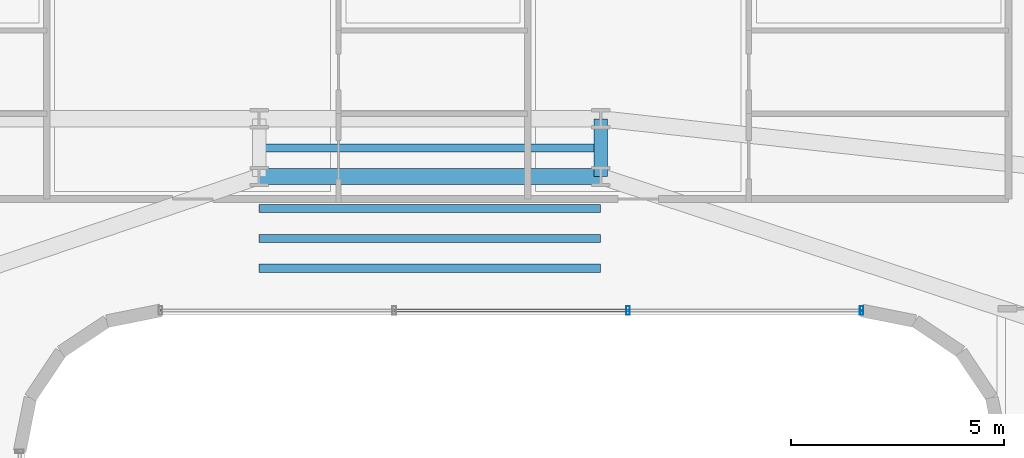
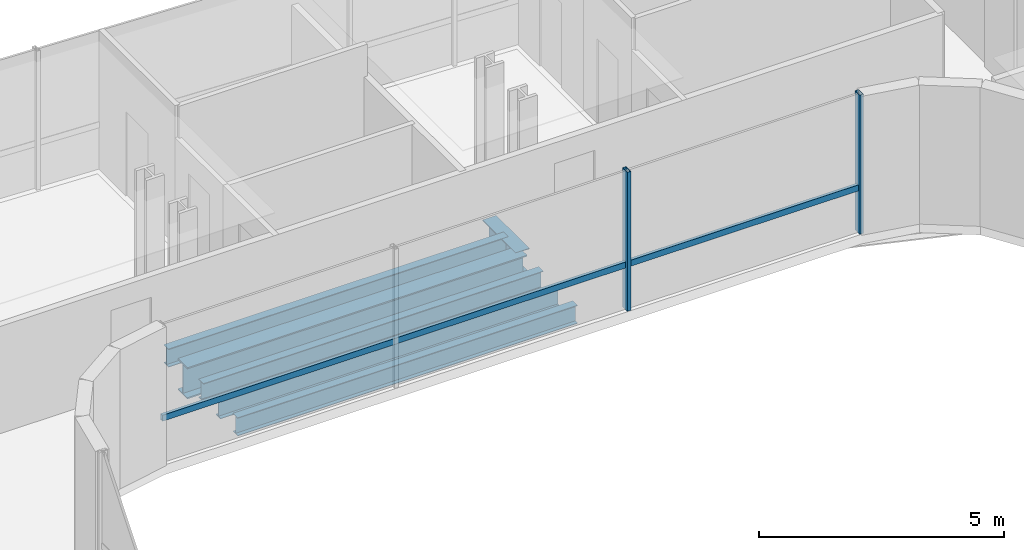
# One storey, part 16 of 38: 6 beams, 3 members, 1 element without a shape of its own.
"""IFC4 building model written with IfcOpenShell, lengths in metres."""

from ifc_helpers import new_model, si_unit, direction, frame, origin, origin_2d, place, context, subcontext, project, spatial, hollow_rectangle, i_section, extrude, source, transform, mapped, material, material_profile, profile_set, type_object, element, aggregate, save


model = new_model("IFC4")

# Units and contexts
model_context = context("Model", 3, precision=1e-05, world=origin(), true_north=direction((0.0, 1.0)))
body_context = subcontext(model_context, "Body", "Model", "MODEL_VIEW")
ifc_project = project(units=[si_unit("LENGTHUNIT", "METRE"), si_unit("AREAUNIT", "SQUARE_METRE"), si_unit("VOLUMEUNIT", "CUBIC_METRE"), si_unit("PLANEANGLEUNIT", "RADIAN"), si_unit("MASSUNIT", "GRAM", prefix="KILO")], contexts=[model_context])

# Site, building, storey
site_placement = place(None, origin())
site = spatial("IfcSite", under=ifc_project, at=site_placement, CompositionType="ELEMENT")
building_placement = place(site_placement, origin())
building = spatial("IfcBuilding", under=site, at=building_placement, Name="Valdorenza Pilgrim Sanctuary Tower", CompositionType="ELEMENT")
storey_placement = place(building_placement, frame((0.0, 0.0, 131.60009765625)))
storey = spatial("IfcBuildingStorey", under=building, at=storey_placement, Name="L33", CompositionType="ELEMENT", Elevation=131.60009765625)

# Beams
ifc_material_1 = material(Name="Steel ASTM A992 Grade 50", Category="steel")
ifc_material_profile_1 = material_profile(ifc_material_1, i_section(OverallWidth=0.323974609375, OverallDepth=0.611083984375, WebThickness=0.0126953125, FlangeThickness=0.01904296875, at=origin_2d()), Name="W24X104")
ifc_profile_set_1 = profile_set([ifc_material_profile_1], Name="Steel ASTM A992 Grade 50")
beam_type_1 = type_object("IfcBeamType", Name="STR-BM-GRD-W24B", PredefinedType="BEAM", material=ifc_profile_set_1)
shared_shape_1 = source(origin(), body_context, "Body", "SweptSolid", [
    extrude(i_section(OverallWidth=0.323974609375, OverallDepth=0.611083984375, WebThickness=0.0126953125, FlangeThickness=0.01904296875, at=origin_2d()), origin(), (0.0, 0.0, 1.0), 1.35009765625),
])
beam_1_placement = place(storey_placement, frame((4.0, 13.449951171875, -0.545654296875), z_axis=(0.0, 1.0, 0.0), x_axis=(-1.0, 0.0, 0.0)))
element("IfcBeam", 1, at=beam_1_placement, inside=storey, type_object=beam_type_1, Name="L33 Floor Girder KNK-TIE-E", PredefinedType="BEAM", context=body_context, shape_type="MappedRepresentation", body=[
    mapped(shared_shape_1, transform((0.0, 0.0, 0.0), x_axis=(1.0, 0.0, 0.0), y_axis=(0.0, 1.0, 0.0), z_axis=(0.0, 0.0, 1.0), scale=1.0)),
])
ifc_material_profile_2 = material_profile(ifc_material_1, i_section(OverallWidth=0.382080078125, OverallDepth=0.779052734375, WebThickness=0.01806640625, FlangeThickness=0.030029296875, at=origin_2d()), Name="W30X191")
ifc_profile_set_2 = profile_set([ifc_material_profile_2], Name="Steel ASTM A992 Grade 50")
beam_type_2 = type_object("IfcBeamType", Name="STR-BM-GRD-W30", PredefinedType="BEAM", material=ifc_profile_set_2)
shared_shape_2 = source(origin(), body_context, "Body", "SweptSolid", [
    extrude(i_section(OverallWidth=0.382080078125, OverallDepth=0.779052734375, WebThickness=0.01806640625, FlangeThickness=0.030029296875, at=origin_2d()), origin(), (0.0, 0.0, 1.0), 8.0),
])
beam_2_placement = place(storey_placement, frame((-4.0, 13.449951171875, -0.629638671875), z_axis=(1.0, 0.0, 0.0), x_axis=(0.0, 1.0, 0.0)))
element("IfcBeam", 2, at=beam_2_placement, inside=storey, type_object=beam_type_2, Name="L33 Floor Girder KNK-G2", PredefinedType="BEAM", context=body_context, shape_type="MappedRepresentation", body=[
    mapped(shared_shape_2, transform((0.0, 0.0, 0.0), x_axis=(1.0, 0.0, 0.0), y_axis=(0.0, 1.0, 0.0), z_axis=(0.0, 0.0, 1.0), scale=1.0)),
])
ifc_material_profile_3 = material_profile(ifc_material_1, i_section(OverallWidth=0.19091796875, OverallDepth=0.45703125, WebThickness=0.009033203125, FlangeThickness=0.014404296875, at=origin_2d()), Name="W18X50")
ifc_profile_set_3 = profile_set([ifc_material_profile_3], Name="Steel ASTM A992 Grade 50")
beam_type_3 = type_object("IfcBeamType", Name="STR-BM-JST-W18B", PredefinedType="JOIST", material=ifc_profile_set_3)
shared_shape_3 = source(origin(), body_context, "Body", "SweptSolid", [
    extrude(i_section(OverallWidth=0.19091796875, OverallDepth=0.45703125, WebThickness=0.009033203125, FlangeThickness=0.014404296875, at=origin_2d()), origin(), (0.0, 0.0, 1.0), 8.0),
])
for number, where, z_axis, x_axis, name in (
    (3, (-4.0, 11.300048828125, -0.468505859375), (1.0, 0.0, 0.0), (0.0, 1.0, 0.0), "L33 Knuckle Composite Joist JST-KNK-1"),
    (4, (-4.0, 12.0, -0.468505859375), (1.0, 0.0, 0.0), (0.0, 1.0, 0.0), "L33 Knuckle Composite Joist JST-KNK-2"),
    (5, (-4.0, 12.699951171875, -0.468505859375), (1.0, 0.0, 0.0), (0.0, 1.0, 0.0), "L33 Knuckle Composite Joist JST-KNK-3"),
    (6, (-4.0, 14.1201171875, -0.468505859375), (1.0, 0.0, 0.0), (0.0, 1.0, 0.0), "L33 Knuckle Composite Joist JST-KNK-4"),
):
    element("IfcBeam", number, at=place(storey_placement, frame(where, z_axis=z_axis, x_axis=x_axis)), inside=storey, type_object=beam_type_3, Name=name, PredefinedType="JOIST", context=body_context, shape_type="MappedRepresentation", body=[
        mapped(shared_shape_3, transform((0.0, 0.0, 0.0), x_axis=(1.0, 0.0, 0.0), y_axis=(0.0, 1.0, 0.0), z_axis=(0.0, 0.0, 1.0), scale=1.0)),
    ])

# Curtain wall, members
ifc_material_2 = material(Name="Curtain-wall IGU glazing", Category="glass")
curtain_wall_type = type_object("IfcCurtainWallType", Name="CW-SYS-02", PredefinedType="NOTDEFINED", material=ifc_material_2)
curtain_wall_placement = place(storey_placement, origin())
curtain_wall = element("IfcCurtainWall", 7, at=curtain_wall_placement, inside=storey, type_object=curtain_wall_type, Name="L33 Curtain Wall CW-L33-1-36", PredefinedType="NOTDEFINED")
ifc_material_3 = material(Name="Anodised aluminium AW-6060", Category="aluminium")
ifc_material_profile_4 = material_profile(ifc_material_3, hollow_rectangle(XDim=0.0849609375, YDim=0.199951171875, WallThickness=0.0048828125, at=origin_2d()), Name="ALU-M 200x85x5")
ifc_profile_set_4 = profile_set([ifc_material_profile_4], Name="Anodised aluminium AW-6060")
member_type_1 = type_object("IfcMemberType", Name="CW-MUL-02", PredefinedType="MULLION", material=ifc_profile_set_4)
shared_shape_4 = source(origin(), body_context, "Body", "SweptSolid", [
    extrude(hollow_rectangle(XDim=0.0849609375, YDim=0.199951171875, WallThickness=0.0048828125, at=origin_2d()), origin(), (0.0, 0.0, 1.0), 3.4599609375),
])
member_1_placement = place(storey_placement, frame((10.11083984375, 10.31005859375, 0.0), z_axis=(0.0, 0.0, 1.0), x_axis=(-1.0, 0.0, 0.0)))
member_1 = element("IfcMember", 8, at=member_1_placement, type_object=member_type_1, Name="CW-L33-1-36 Mullion 1", PredefinedType="MULLION", context=body_context, shape_type="MappedRepresentation", body=[
    mapped(shared_shape_4, transform((0.0, 0.0, 0.0), x_axis=(1.0, 0.0, 0.0), y_axis=(0.0, 1.0, 0.0), z_axis=(0.0, 0.0, 1.0), scale=1.0)),
])
member_2_placement = place(storey_placement, frame((4.636962890625, 10.31005859375, 0.0), z_axis=(0.0, 0.0, 1.0), x_axis=(-1.0, 0.0, 0.0)))
member_2 = element("IfcMember", 9, at=member_2_placement, type_object=member_type_1, Name="CW-L33-1-36 Mullion 2", PredefinedType="MULLION", context=body_context, shape_type="MappedRepresentation", body=[
    mapped(shared_shape_4, transform((0.0, 0.0, 0.0), x_axis=(1.0, 0.0, 0.0), y_axis=(0.0, 1.0, 0.0), z_axis=(0.0, 0.0, 1.0), scale=1.0)),
])
ifc_material_profile_5 = material_profile(ifc_material_3, hollow_rectangle(XDim=0.074951171875, YDim=0.14990234375, WallThickness=0.00390625, at=origin_2d()), Name="ALU-T 150x75x4")
ifc_profile_set_5 = profile_set([ifc_material_profile_5], Name="Anodised aluminium AW-6060")
member_type_2 = type_object("IfcMemberType", Name="CW-TRN-02", PredefinedType="USERDEFINED", material=ifc_profile_set_5)
shared_shape_5 = source(origin(), body_context, "Body", "SweptSolid", [
    extrude(hollow_rectangle(XDim=0.074951171875, YDim=0.14990234375, WallThickness=0.00390625, at=origin_2d()), origin(), (0.0, 0.0, 1.0), 16.421630859375),
])
member_3_placement = place(storey_placement, frame((10.11083984375, 10.31005859375, 1.119873046875), z_axis=(-1.0, 0.0, 0.0), x_axis=(0.0, -1.0, 0.0)))
member_3 = element("IfcMember", 10, at=member_3_placement, type_object=member_type_2, Name="CW-L33-1-36 Transom 1", ObjectType="TRANSOM", PredefinedType="USERDEFINED", context=body_context, shape_type="MappedRepresentation", body=[
    mapped(shared_shape_5, transform((0.0, 0.0, 0.0), x_axis=(1.0, 0.0, 0.0), y_axis=(0.0, 1.0, 0.0), z_axis=(0.0, 0.0, 1.0), scale=1.0)),
])
aggregate(curtain_wall, [member_1, member_2, member_3])

save(model, "model.ifc")
